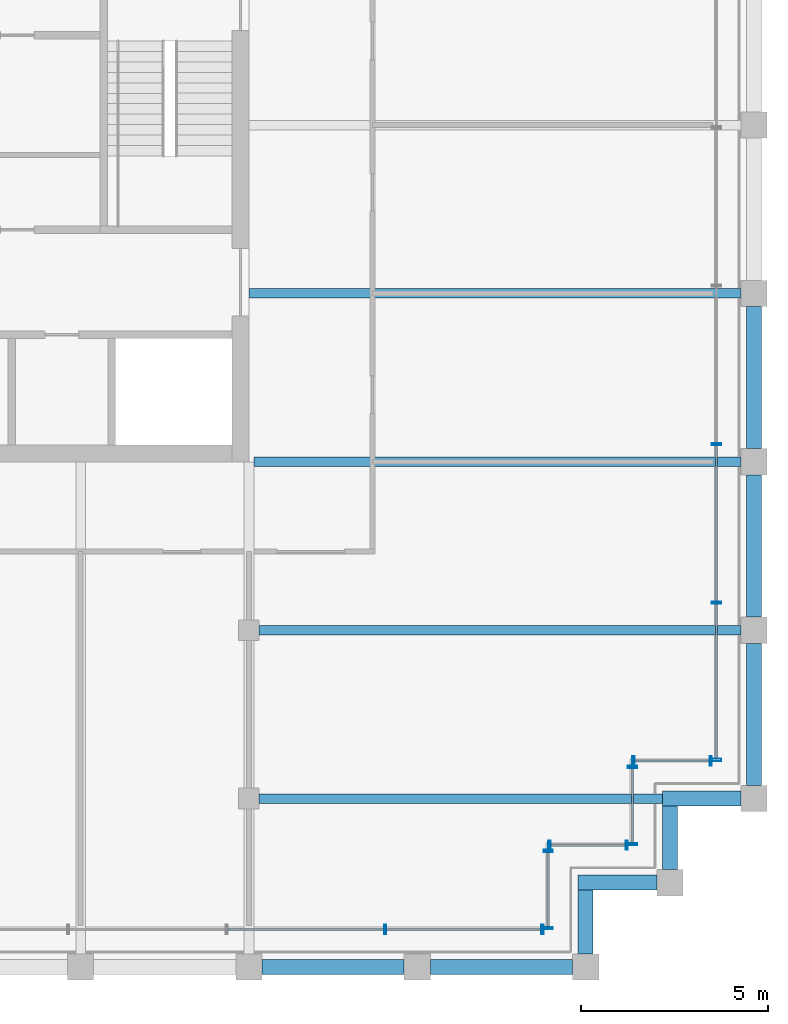
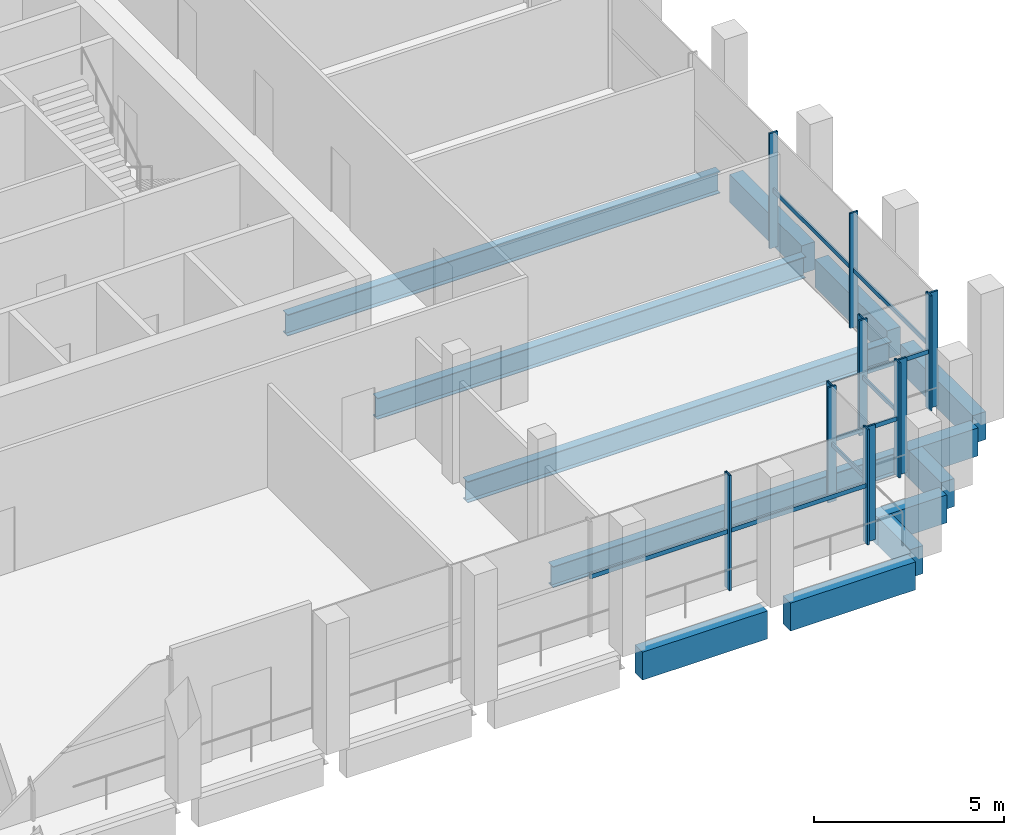
# One storey, part 8 of 17: 21 members, 13 beams, 6 elements without a shape of their own.
"""IFC4 building model written with IfcOpenShell, lengths in metres."""

from ifc_helpers import new_model, si_unit, direction, frame, origin, origin_2d, place, context, subcontext, project, spatial, rectangle, hollow_rectangle, i_section, extrude, material, material_profile, profile_set, type_object, element, aggregate, save


model = new_model("IFC4")

# Units and contexts
model_context = context("Model", 3, precision=1e-05, world=origin(), true_north=direction((0.0, 1.0)))
body_context = subcontext(model_context, "Body", "Model", "MODEL_VIEW")
ifc_project = project(units=[si_unit("LENGTHUNIT", "METRE"), si_unit("AREAUNIT", "SQUARE_METRE"), si_unit("VOLUMEUNIT", "CUBIC_METRE"), si_unit("PLANEANGLEUNIT", "RADIAN"), si_unit("MASSUNIT", "GRAM", prefix="KILO")], contexts=[model_context])

# Site, building, storey
site_placement = place(None, origin())
site = spatial("IfcSite", under=ifc_project, at=site_placement, CompositionType="ELEMENT")
building_placement = place(site_placement, origin())
building = spatial("IfcBuilding", under=site, at=building_placement, Name="Altepetl Exchange Towers", CompositionType="ELEMENT")
storey_placement = place(building_placement, frame((0.0, 0.0, 255.199951171875)))
storey = spatial("IfcBuildingStorey", under=building, at=storey_placement, Name="L65", CompositionType="ELEMENT", Elevation=255.199951171875)

# Beams
ifc_material_1 = material(Name="Steel S355", Category="steel")
ifc_material_profile_1 = material_profile(ifc_material_1, i_section(OverallWidth=0.25390625, OverallDepth=0.68408203125, WebThickness=0.012451171875, FlangeThickness=0.018798828125, at=origin_2d()), Name="W27X94")
ifc_profile_set_1 = profile_set([ifc_material_profile_1], Name="Steel S355")
beam_type_1 = type_object("IfcBeamType", Name="Floor beam W27X94", PredefinedType="BEAM", material=ifc_profile_set_1)
beam_1_placement = place(storey_placement, frame((58.77490234375, 31.5, -0.516845703125), z_axis=(1.0, 0.0, 0.0), x_axis=(0.0, 1.0, 0.0)))
element("IfcBeam", 1, at=beam_1_placement, inside=storey, type_object=beam_type_1, Name="bm:A:L65:006", PredefinedType="BEAM", context=body_context, shape_type="SweptSolid", body=[
    extrude(i_section(OverallWidth=0.25390625, OverallDepth=0.68408203125, WebThickness=0.012451171875, FlangeThickness=0.018798828125, at=origin_2d()), origin(), (0.0, 0.0, 1.0), 10.775146484375),
])
beam_2_placement = place(storey_placement, frame((58.77490234375, 36.0, -0.516845703125), z_axis=(1.0, 0.0, 0.0), x_axis=(0.0, 1.0, 0.0)))
element("IfcBeam", 2, at=beam_2_placement, inside=storey, type_object=beam_type_1, Name="bm:A:L65:007", PredefinedType="BEAM", context=body_context, shape_type="SweptSolid", body=[
    extrude(i_section(OverallWidth=0.25390625, OverallDepth=0.68408203125, WebThickness=0.012451171875, FlangeThickness=0.018798828125, at=origin_2d()), origin(), (0.0, 0.0, 1.0), 12.875),
])
beam_3_placement = place(storey_placement, frame((58.634033203125, 40.5, -0.516845703125), z_axis=(1.0, 0.0, 0.0), x_axis=(0.0, 1.0, 0.0)))
element("IfcBeam", 3, at=beam_3_placement, inside=storey, type_object=beam_type_1, Name="bm:A:L65:008", PredefinedType="BEAM", context=body_context, shape_type="SweptSolid", body=[
    extrude(i_section(OverallWidth=0.25390625, OverallDepth=0.68408203125, WebThickness=0.012451171875, FlangeThickness=0.018798828125, at=origin_2d()), origin(), (0.0, 0.0, 1.0), 13.015869140625),
])
beam_4_placement = place(storey_placement, frame((58.5, 45.0, -0.516845703125), z_axis=(1.0, 0.0, 0.0), x_axis=(0.0, 1.0, 0.0)))
element("IfcBeam", 4, at=beam_4_placement, inside=storey, type_object=beam_type_1, Name="bm:A:L65:009", PredefinedType="BEAM", context=body_context, shape_type="SweptSolid", body=[
    extrude(i_section(OverallWidth=0.25390625, OverallDepth=0.68408203125, WebThickness=0.012451171875, FlangeThickness=0.018798828125, at=origin_2d()), origin(), (0.0, 0.0, 1.0), 13.14990234375),
])

# Curtain wall, members
ifc_material_2 = material(Name="Aluminium 6063-T6 glazing", Category="aluminium")
curtain_wall_type = type_object("IfcCurtainWallType", Name="Executive flush glazing system", PredefinedType="NOTDEFINED", material=ifc_material_2)
curtain_wall_1_placement = place(storey_placement, origin())
curtain_wall_1 = element("IfcCurtainWall", 5, at=curtain_wall_1_placement, inside=storey, type_object=curtain_wall_type, Name="CW4 run", PredefinedType="NOTDEFINED")
ifc_material_3 = material(Name="Aluminium 6063-T6", Category="aluminium")
ifc_material_profile_2 = material_profile(ifc_material_3, hollow_rectangle(XDim=0.06005859375, YDim=0.25, WallThickness=0.0029296875, at=origin_2d()), Name="Mullion 60x250 hollow aluminium")
ifc_profile_set_2 = profile_set([ifc_material_profile_2], Name="Aluminium 6063-T6")
member_type_1 = type_object("IfcMemberType", Name="Mullion 60x250 hollow aluminium", PredefinedType="MULLION", material=ifc_profile_set_2)
member_1_placement = place(storey_placement, frame((62.140625, 28.0, 0.0)))
member_1 = element("IfcMember", 6, at=member_1_placement, type_object=member_type_1, Name="MU3 mullion", PredefinedType="MULLION", context=body_context, shape_type="SweptSolid", body=[
    extrude(hollow_rectangle(XDim=0.06005859375, YDim=0.25, WallThickness=0.0029296875, at=origin_2d()), origin(), (0.0, 0.0, 1.0), 3.699951171875),
])
member_2_placement = place(storey_placement, frame((66.344970703125, 28.0, 0.0)))
member_2 = element("IfcMember", 7, at=member_2_placement, type_object=member_type_1, Name="MU3 mullion", PredefinedType="MULLION", context=body_context, shape_type="SweptSolid", body=[
    extrude(hollow_rectangle(XDim=0.06005859375, YDim=0.25, WallThickness=0.0029296875, at=origin_2d()), origin(), (0.0, 0.0, 1.0), 3.699951171875),
])

curtain_wall_2_placement = place(storey_placement, origin())
curtain_wall_2 = element("IfcCurtainWall", 8, at=curtain_wall_2_placement, inside=storey, type_object=curtain_wall_type, Name="CW4 run", PredefinedType="NOTDEFINED")
member_3_placement = place(storey_placement, frame((66.5, 28.030029296875, 0.0), z_axis=(0.0, 0.0, 1.0), x_axis=(0.0, 1.0, 0.0)))
member_3 = element("IfcMember", 9, at=member_3_placement, type_object=member_type_1, Name="MU3 mullion", PredefinedType="MULLION", context=body_context, shape_type="SweptSolid", body=[
    extrude(hollow_rectangle(XDim=0.06005859375, YDim=0.25, WallThickness=0.0029296875, at=origin_2d()), origin(), (0.0, 0.0, 1.0), 3.699951171875),
])
member_4_placement = place(storey_placement, frame((66.5, 30.094970703125, 0.0), z_axis=(0.0, 0.0, 1.0), x_axis=(0.0, 1.0, 0.0)))
member_4 = element("IfcMember", 10, at=member_4_placement, type_object=member_type_1, Name="MU3 mullion", PredefinedType="MULLION", context=body_context, shape_type="SweptSolid", body=[
    extrude(hollow_rectangle(XDim=0.06005859375, YDim=0.25, WallThickness=0.0029296875, at=origin_2d()), origin(), (0.0, 0.0, 1.0), 3.699951171875),
])

curtain_wall_3_placement = place(storey_placement, origin())
curtain_wall_3 = element("IfcCurtainWall", 11, at=curtain_wall_3_placement, inside=storey, type_object=curtain_wall_type, Name="CW4 run", PredefinedType="NOTDEFINED")
member_5_placement = place(storey_placement, frame((66.530029296875, 30.25, 0.0)))
member_5 = element("IfcMember", 12, at=member_5_placement, type_object=member_type_1, Name="MU3 mullion", PredefinedType="MULLION", context=body_context, shape_type="SweptSolid", body=[
    extrude(hollow_rectangle(XDim=0.06005859375, YDim=0.25, WallThickness=0.0029296875, at=origin_2d()), origin(), (0.0, 0.0, 1.0), 3.699951171875),
])
member_6_placement = place(storey_placement, frame((68.594970703125, 30.25, 0.0)))
member_6 = element("IfcMember", 13, at=member_6_placement, type_object=member_type_1, Name="MU3 mullion", PredefinedType="MULLION", context=body_context, shape_type="SweptSolid", body=[
    extrude(hollow_rectangle(XDim=0.06005859375, YDim=0.25, WallThickness=0.0029296875, at=origin_2d()), origin(), (0.0, 0.0, 1.0), 3.699951171875),
])

curtain_wall_4_placement = place(storey_placement, origin())
curtain_wall_4 = element("IfcCurtainWall", 14, at=curtain_wall_4_placement, inside=storey, type_object=curtain_wall_type, Name="CW4 run", PredefinedType="NOTDEFINED")
member_7_placement = place(storey_placement, frame((68.75, 30.280029296875, 0.0), z_axis=(0.0, 0.0, 1.0), x_axis=(0.0, 1.0, 0.0)))
member_7 = element("IfcMember", 15, at=member_7_placement, type_object=member_type_1, Name="MU3 mullion", PredefinedType="MULLION", context=body_context, shape_type="SweptSolid", body=[
    extrude(hollow_rectangle(XDim=0.06005859375, YDim=0.25, WallThickness=0.0029296875, at=origin_2d()), origin(), (0.0, 0.0, 1.0), 3.699951171875),
])
member_8_placement = place(storey_placement, frame((68.75, 32.344970703125, 0.0), z_axis=(0.0, 0.0, 1.0), x_axis=(0.0, 1.0, 0.0)))
member_8 = element("IfcMember", 16, at=member_8_placement, type_object=member_type_1, Name="MU3 mullion", PredefinedType="MULLION", context=body_context, shape_type="SweptSolid", body=[
    extrude(hollow_rectangle(XDim=0.06005859375, YDim=0.25, WallThickness=0.0029296875, at=origin_2d()), origin(), (0.0, 0.0, 1.0), 3.699951171875),
])

curtain_wall_5_placement = place(storey_placement, origin())
curtain_wall_5 = element("IfcCurtainWall", 17, at=curtain_wall_5_placement, inside=storey, type_object=curtain_wall_type, Name="CW4 run", PredefinedType="NOTDEFINED")
member_9_placement = place(storey_placement, frame((68.780029296875, 32.5, 0.0)))
member_9 = element("IfcMember", 18, at=member_9_placement, type_object=member_type_1, Name="MU3 mullion", PredefinedType="MULLION", context=body_context, shape_type="SweptSolid", body=[
    extrude(hollow_rectangle(XDim=0.06005859375, YDim=0.25, WallThickness=0.0029296875, at=origin_2d()), origin(), (0.0, 0.0, 1.0), 3.699951171875),
])
member_10_placement = place(storey_placement, frame((70.844970703125, 32.5, 0.0)))
member_10 = element("IfcMember", 19, at=member_10_placement, type_object=member_type_1, Name="MU3 mullion", PredefinedType="MULLION", context=body_context, shape_type="SweptSolid", body=[
    extrude(hollow_rectangle(XDim=0.06005859375, YDim=0.25, WallThickness=0.0029296875, at=origin_2d()), origin(), (0.0, 0.0, 1.0), 3.699951171875),
])

curtain_wall_6_placement = place(storey_placement, origin())
curtain_wall_6 = element("IfcCurtainWall", 20, at=curtain_wall_6_placement, inside=storey, type_object=curtain_wall_type, Name="CW4 run", PredefinedType="NOTDEFINED")
member_11_placement = place(storey_placement, frame((71.0, 32.530029296875, 0.0), z_axis=(0.0, 0.0, 1.0), x_axis=(0.0, 1.0, 0.0)))
member_11 = element("IfcMember", 21, at=member_11_placement, type_object=member_type_1, Name="MU3 mullion", PredefinedType="MULLION", context=body_context, shape_type="SweptSolid", body=[
    extrude(hollow_rectangle(XDim=0.06005859375, YDim=0.25, WallThickness=0.0029296875, at=origin_2d()), origin(), (0.0, 0.0, 1.0), 3.699951171875),
])
member_12_placement = place(storey_placement, frame((71.0, 36.734375, 0.0), z_axis=(0.0, 0.0, 1.0), x_axis=(0.0, 1.0, 0.0)))
member_12 = element("IfcMember", 22, at=member_12_placement, type_object=member_type_1, Name="MU3 mullion", PredefinedType="MULLION", context=body_context, shape_type="SweptSolid", body=[
    extrude(hollow_rectangle(XDim=0.06005859375, YDim=0.25, WallThickness=0.0029296875, at=origin_2d()), origin(), (0.0, 0.0, 1.0), 3.699951171875),
])
member_13_placement = place(storey_placement, frame((71.0, 40.96875, 0.0), z_axis=(0.0, 0.0, 1.0), x_axis=(0.0, 1.0, 0.0)))
member_13 = element("IfcMember", 23, at=member_13_placement, type_object=member_type_1, Name="MU3 mullion", PredefinedType="MULLION", context=body_context, shape_type="SweptSolid", body=[
    extrude(hollow_rectangle(XDim=0.06005859375, YDim=0.25, WallThickness=0.0029296875, at=origin_2d()), origin(), (0.0, 0.0, 1.0), 3.699951171875),
])

# Beams
ifc_material_4 = material(Name="Concrete C50/60 precast with cantera amarilla facing", Category="concrete")
ifc_material_profile_3 = material_profile(ifc_material_4, rectangle(XDim=0.39990234375, YDim=0.89990234375, at=origin_2d()), Name="400 x 900")
ifc_profile_set_3 = profile_set([ifc_material_profile_3], Name="Concrete C50/60 precast with cantera amarilla facing")
beam_type_2 = type_object("IfcBeamType", Name="Spandrel beam 400x900 cantera amarilla", PredefinedType="SPANDREL", material=ifc_profile_set_3)
for number, where, z_axis, x_axis, name in (
    (24, (58.85009765625, 27.0, -0.625), (1.0, 0.0, 0.0), (0.0, 1.0, 0.0), "sp:A:L65:006"),
    (25, (63.35009765625, 27.0, -0.625), (1.0, 0.0, 0.0), (0.0, 1.0, 0.0), "sp:A:L65:007"),
):
    element("IfcBeam", number, at=place(storey_placement, frame(where, z_axis=z_axis, x_axis=x_axis)), inside=storey, type_object=beam_type_2, Name=name, PredefinedType="SPANDREL", context=body_context, shape_type="SweptSolid", body=[
        extrude(rectangle(XDim=0.39990234375, YDim=0.89990234375, at=origin_2d()), origin(), (0.0, 0.0, 1.0), 3.7998046875),
    ])
beam_5_placement = place(storey_placement, frame((67.5, 27.35009765625, -0.625), z_axis=(0.0, 1.0, 0.0), x_axis=(-1.0, 0.0, 0.0)))
element("IfcBeam", 26, at=beam_5_placement, inside=storey, type_object=beam_type_2, Name="sp:A:L65:008", PredefinedType="SPANDREL", context=body_context, shape_type="SweptSolid", body=[
    extrude(rectangle(XDim=0.39990234375, YDim=0.89990234375, at=origin_2d()), origin(), (0.0, 0.0, 1.0), 1.699951171875),
])
beam_6_placement = place(storey_placement, frame((67.300048828125, 29.25, -0.625), z_axis=(1.0, 0.0, 0.0), x_axis=(0.0, 1.0, 0.0)))
element("IfcBeam", 27, at=beam_6_placement, inside=storey, type_object=beam_type_2, Name="sp:A:L65:009", PredefinedType="SPANDREL", context=body_context, shape_type="SweptSolid", body=[
    extrude(rectangle(XDim=0.39990234375, YDim=0.89990234375, at=origin_2d()), origin(), (0.0, 0.0, 1.0), 2.099853515625),
])
beam_7_placement = place(storey_placement, frame((69.75, 29.60009765625, -0.625), z_axis=(0.0, 1.0, 0.0), x_axis=(-1.0, 0.0, 0.0)))
element("IfcBeam", 28, at=beam_7_placement, inside=storey, type_object=beam_type_2, Name="sp:A:L65:010", PredefinedType="SPANDREL", context=body_context, shape_type="SweptSolid", body=[
    extrude(rectangle(XDim=0.39990234375, YDim=0.89990234375, at=origin_2d()), origin(), (0.0, 0.0, 1.0), 1.699951171875),
])
beam_8_placement = place(storey_placement, frame((69.550048828125, 31.5, -0.625), z_axis=(1.0, 0.0, 0.0), x_axis=(0.0, 1.0, 0.0)))
element("IfcBeam", 29, at=beam_8_placement, inside=storey, type_object=beam_type_2, Name="sp:A:L65:011", PredefinedType="SPANDREL", context=body_context, shape_type="SweptSolid", body=[
    extrude(rectangle(XDim=0.39990234375, YDim=0.89990234375, at=origin_2d()), origin(), (0.0, 0.0, 1.0), 2.099853515625),
])
for number, where, z_axis, x_axis, name in (
    (30, (72.0, 31.85009765625, -0.625), (0.0, 1.0, 0.0), (-1.0, 0.0, 0.0), "sp:A:L65:012"),
    (31, (72.0, 36.35009765625, -0.625), (0.0, 1.0, 0.0), (-1.0, 0.0, 0.0), "sp:A:L65:013"),
    (32, (72.0, 40.85009765625, -0.625), (0.0, 1.0, 0.0), (-1.0, 0.0, 0.0), "sp:A:L65:014"),
):
    element("IfcBeam", number, at=place(storey_placement, frame(where, z_axis=z_axis, x_axis=x_axis)), inside=storey, type_object=beam_type_2, Name=name, PredefinedType="SPANDREL", context=body_context, shape_type="SweptSolid", body=[
        extrude(rectangle(XDim=0.39990234375, YDim=0.89990234375, at=origin_2d()), origin(), (0.0, 0.0, 1.0), 3.7998046875),
    ])

# Member
ifc_material_profile_4 = material_profile(ifc_material_3, hollow_rectangle(XDim=0.050048828125, YDim=0.139892578125, WallThickness=0.0029296875, at=origin_2d()), Name="Transom 50x140 hollow aluminium")
ifc_profile_set_4 = profile_set([ifc_material_profile_4], Name="Aluminium 6063-T6")
member_type_2 = type_object("IfcMemberType", Name="Transom 50x140 hollow aluminium", PredefinedType="USERDEFINED", material=ifc_profile_set_4)
member_14_placement = place(storey_placement, frame((57.936279296875, 28.0, 1.85009765625), z_axis=(1.0, 0.0, 0.0), x_axis=(0.0, 1.0, 0.0)))
member_14 = element("IfcMember", 33, at=member_14_placement, type_object=member_type_2, Name="TR2 transom", ObjectType="TRANSOM", PredefinedType="USERDEFINED", context=body_context, shape_type="SweptSolid", body=[
    extrude(hollow_rectangle(XDim=0.050048828125, YDim=0.139892578125, WallThickness=0.0029296875, at=origin_2d()), origin(), (0.0, 0.0, 1.0), 4.17431640625),
])

member_15_placement = place(storey_placement, frame((62.170654296875, 28.0, 1.85009765625), z_axis=(1.0, 0.0, 0.0), x_axis=(0.0, 1.0, 0.0)))
member_15 = element("IfcMember", 34, at=member_15_placement, type_object=member_type_2, Name="TR2 transom", ObjectType="TRANSOM", PredefinedType="USERDEFINED", context=body_context, shape_type="SweptSolid", body=[
    extrude(hollow_rectangle(XDim=0.050048828125, YDim=0.139892578125, WallThickness=0.0029296875, at=origin_2d()), origin(), (0.0, 0.0, 1.0), 4.144287109375),
])

aggregate(curtain_wall_1, [member_1, member_2, member_14, member_15])

member_16_placement = place(storey_placement, frame((66.5, 28.06005859375, 1.85009765625), z_axis=(0.0, 1.0, 0.0), x_axis=(-1.0, 0.0, 0.0)))
member_16 = element("IfcMember", 35, at=member_16_placement, type_object=member_type_2, Name="TR2 transom", ObjectType="TRANSOM", PredefinedType="USERDEFINED", context=body_context, shape_type="SweptSolid", body=[
    extrude(hollow_rectangle(XDim=0.050048828125, YDim=0.139892578125, WallThickness=0.0029296875, at=origin_2d()), origin(), (0.0, 0.0, 1.0), 2.0048828125),
])

aggregate(curtain_wall_2, [member_3, member_4, member_16])

member_17_placement = place(storey_placement, frame((66.56005859375, 30.25, 1.85009765625), z_axis=(1.0, 0.0, 0.0), x_axis=(0.0, 1.0, 0.0)))
member_17 = element("IfcMember", 36, at=member_17_placement, type_object=member_type_2, Name="TR2 transom", ObjectType="TRANSOM", PredefinedType="USERDEFINED", context=body_context, shape_type="SweptSolid", body=[
    extrude(hollow_rectangle(XDim=0.050048828125, YDim=0.139892578125, WallThickness=0.0029296875, at=origin_2d()), origin(), (0.0, 0.0, 1.0), 2.0048828125),
])

aggregate(curtain_wall_3, [member_5, member_6, member_17])

member_18_placement = place(storey_placement, frame((68.75, 30.31005859375, 1.85009765625), z_axis=(0.0, 1.0, 0.0), x_axis=(-1.0, 0.0, 0.0)))
member_18 = element("IfcMember", 37, at=member_18_placement, type_object=member_type_2, Name="TR2 transom", ObjectType="TRANSOM", PredefinedType="USERDEFINED", context=body_context, shape_type="SweptSolid", body=[
    extrude(hollow_rectangle(XDim=0.050048828125, YDim=0.139892578125, WallThickness=0.0029296875, at=origin_2d()), origin(), (0.0, 0.0, 1.0), 2.0048828125),
])

aggregate(curtain_wall_4, [member_7, member_8, member_18])

member_19_placement = place(storey_placement, frame((68.81005859375, 32.5, 1.85009765625), z_axis=(1.0, 0.0, 0.0), x_axis=(0.0, 1.0, 0.0)))
member_19 = element("IfcMember", 38, at=member_19_placement, type_object=member_type_2, Name="TR2 transom", ObjectType="TRANSOM", PredefinedType="USERDEFINED", context=body_context, shape_type="SweptSolid", body=[
    extrude(hollow_rectangle(XDim=0.050048828125, YDim=0.139892578125, WallThickness=0.0029296875, at=origin_2d()), origin(), (0.0, 0.0, 1.0), 2.0048828125),
])

aggregate(curtain_wall_5, [member_9, member_10, member_19])

member_20_placement = place(storey_placement, frame((71.0, 32.56005859375, 1.85009765625), z_axis=(0.0, 1.0, 0.0), x_axis=(-1.0, 0.0, 0.0)))
member_20 = element("IfcMember", 39, at=member_20_placement, type_object=member_type_2, Name="TR2 transom", ObjectType="TRANSOM", PredefinedType="USERDEFINED", context=body_context, shape_type="SweptSolid", body=[
    extrude(hollow_rectangle(XDim=0.050048828125, YDim=0.139892578125, WallThickness=0.0029296875, at=origin_2d()), origin(), (0.0, 0.0, 1.0), 4.144287109375),
])

member_21_placement = place(storey_placement, frame((71.0, 36.764404296875, 1.85009765625), z_axis=(0.0, 1.0, 0.0), x_axis=(-1.0, 0.0, 0.0)))
member_21 = element("IfcMember", 40, at=member_21_placement, type_object=member_type_2, Name="TR2 transom", ObjectType="TRANSOM", PredefinedType="USERDEFINED", context=body_context, shape_type="SweptSolid", body=[
    extrude(hollow_rectangle(XDim=0.050048828125, YDim=0.139892578125, WallThickness=0.0029296875, at=origin_2d()), origin(), (0.0, 0.0, 1.0), 4.17431640625),
])

aggregate(curtain_wall_6, [member_11, member_12, member_13, member_20, member_21])

save(model, "model.ifc")
